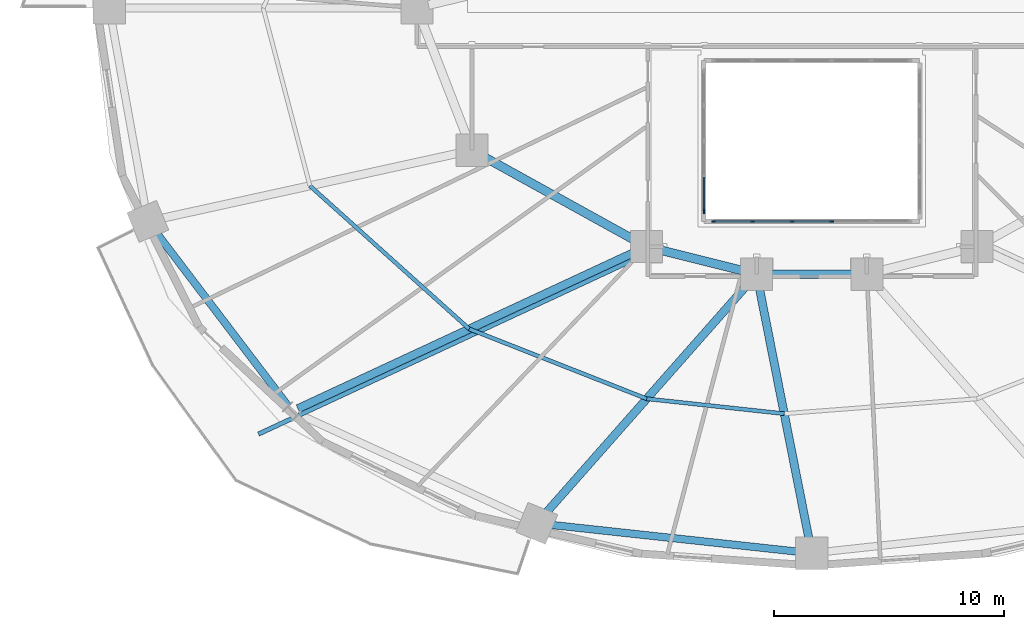
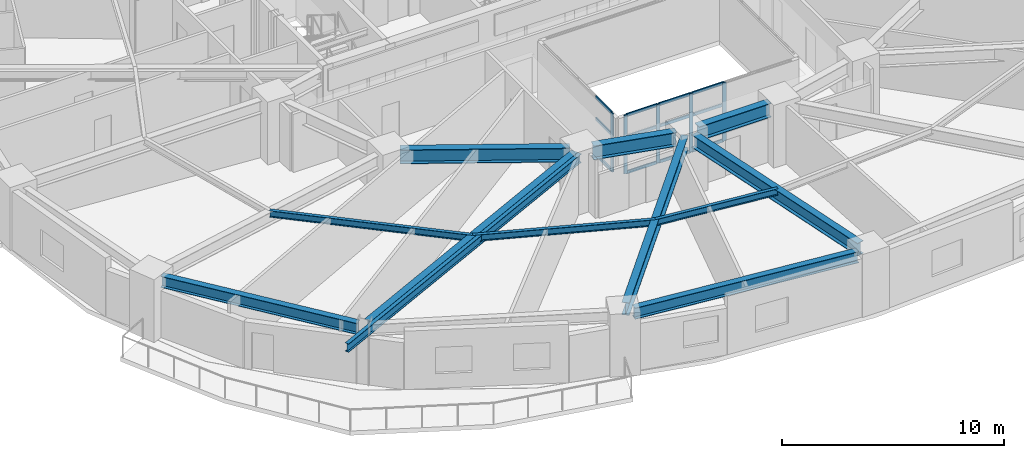
# One storey, part 3 of 17: 17 members, 12 beams, 2 elements without a shape of their own.
"""IFC4 building model written with IfcOpenShell, lengths in metres."""

from ifc_helpers import new_model, si_unit, direction, frame, origin, origin_2d, place, context, subcontext, project, spatial, rectangle, i_section, extrude, material, material_profile, profile_set, type_object, element, aggregate, save


model = new_model("IFC4")

# Units and contexts
model_context = context("Model", 3, precision=1e-05, world=origin(), true_north=direction((0.0, 1.0)))
body_context = subcontext(model_context, "Body", "Model", "MODEL_VIEW")
ifc_project = project(units=[si_unit("LENGTHUNIT", "METRE"), si_unit("AREAUNIT", "SQUARE_METRE"), si_unit("VOLUMEUNIT", "CUBIC_METRE"), si_unit("PLANEANGLEUNIT", "RADIAN"), si_unit("MASSUNIT", "GRAM", prefix="KILO")], contexts=[model_context])

# Site, building, storey
site_placement = place(None, origin())
site = spatial("IfcSite", under=ifc_project, at=site_placement, CompositionType="ELEMENT")
building_placement = place(site_placement, origin())
building = spatial("IfcBuilding", under=site, at=building_placement, Name="Haldorwick Loom Tower", CompositionType="ELEMENT")
storey_placement = place(building_placement, frame((0.0, 0.0, 34.35009765625)))
storey = spatial("IfcBuildingStorey", under=building, at=storey_placement, Name="L08", CompositionType="ELEMENT", Elevation=34.35009765625)

# Curtain wall, members
ifc_material_1 = material(Name="Thermally Broken Anodized Aluminium Curtain Wall Framing", Category="aluminium")
curtain_wall_type = type_object("IfcCurtainWallType", Name="ARC-CW-03", PredefinedType="NOTDEFINED", material=ifc_material_1)
curtain_wall_1_placement = place(storey_placement, origin())
curtain_wall_1 = element("IfcCurtainWall", 1, at=curtain_wall_1_placement, inside=storey, type_object=curtain_wall_type, Name="L08 Atrium Glazed Screen S", PredefinedType="NOTDEFINED")
ifc_material_profile_1 = material_profile(ifc_material_1, rectangle(XDim=0.06591796875, YDim=0.18505859375, at=origin_2d()), Name="ALU_MUL_66X185", Category="aluminium")
ifc_profile_set_1 = profile_set([ifc_material_profile_1], Name="Thermally Broken Anodized Aluminium Curtain Wall Framing")
member_type_1 = type_object("IfcMemberType", Name="ARC-CWM-03", PredefinedType="MULLION", material=ifc_profile_set_1)
member_1_placement = place(storey_placement, frame((36.860107421875, 16.699951171875, 0.0), z_axis=(0.0, 0.0, 1.0), x_axis=(0.0, -1.0, 0.0)))
member_1 = element("IfcMember", 2, at=member_1_placement, type_object=member_type_1, Name="CW-03 mullion 3", PredefinedType="MULLION", context=body_context, shape_type="SweptSolid", body=[
    extrude(rectangle(XDim=0.06591796875, YDim=0.18505859375, at=origin_2d()), origin(), (0.0, 0.0, 1.0), 3.2099609375),
])
member_2_placement = place(storey_placement, frame((35.139892578125, 16.699951171875, 0.0), z_axis=(0.0, 0.0, 1.0), x_axis=(0.0, -1.0, 0.0)))
member_2 = element("IfcMember", 3, at=member_2_placement, type_object=member_type_1, Name="CW-03 mullion 4", PredefinedType="MULLION", context=body_context, shape_type="SweptSolid", body=[
    extrude(rectangle(XDim=0.06591796875, YDim=0.18505859375, at=origin_2d()), origin(), (0.0, 0.0, 1.0), 3.2099609375),
])
member_3_placement = place(storey_placement, frame((33.419921875, 16.699951171875, 0.0), z_axis=(0.0, 0.0, 1.0), x_axis=(0.0, -1.0, 0.0)))
member_3 = element("IfcMember", 4, at=member_3_placement, type_object=member_type_1, Name="CW-03 mullion 5", PredefinedType="MULLION", context=body_context, shape_type="SweptSolid", body=[
    extrude(rectangle(XDim=0.06591796875, YDim=0.18505859375, at=origin_2d()), origin(), (0.0, 0.0, 1.0), 3.2099609375),
])
member_4_placement = place(storey_placement, frame((31.73291015625, 16.699951171875, 0.0), z_axis=(0.0, 0.0, 1.0), x_axis=(0.0, -1.0, 0.0)))
member_4 = element("IfcMember", 5, at=member_4_placement, type_object=member_type_1, Name="CW-03 mullion 6", PredefinedType="MULLION", context=body_context, shape_type="SweptSolid", body=[
    extrude(rectangle(XDim=0.06591796875, YDim=0.18505859375, at=origin_2d()), origin(), (0.0, 0.0, 1.0), 3.2099609375),
])

# Curtain wall, member
curtain_wall_2_placement = place(storey_placement, origin())
curtain_wall_2 = element("IfcCurtainWall", 6, at=curtain_wall_2_placement, inside=storey, type_object=curtain_wall_type, Name="L08 Atrium Glazed Screen W", PredefinedType="NOTDEFINED")
member_5_placement = place(storey_placement, frame((31.300048828125, 17.133056640625, 0.0), z_axis=(0.0, 0.0, 1.0), x_axis=(-1.0, 0.0, 0.0)))
member_5 = element("IfcMember", 7, at=member_5_placement, type_object=member_type_1, Name="CW-03 mullion 1", PredefinedType="MULLION", context=body_context, shape_type="SweptSolid", body=[
    extrude(rectangle(XDim=0.06591796875, YDim=0.18505859375, at=origin_2d()), origin(), (0.0, 0.0, 1.0), 3.2099609375),
])

# Member
ifc_material_profile_2 = material_profile(ifc_material_1, rectangle(XDim=0.06591796875, YDim=0.1650390625, at=origin_2d()), Name="ALU_TRN_66X165", Category="aluminium")
ifc_profile_set_2 = profile_set([ifc_material_profile_2], Name="Thermally Broken Anodized Aluminium Curtain Wall Framing")
member_type_2 = type_object("IfcMemberType", Name="ARC-CWT-03", PredefinedType="USERDEFINED", material=ifc_profile_set_2)
member_6_placement = place(storey_placement, frame((36.826904296875, 16.699951171875, 0.032958984375), z_axis=(-1.0, 0.0, 0.0), x_axis=(0.0, -1.0, 0.0)))
member_6 = element("IfcMember", 8, at=member_6_placement, type_object=member_type_2, Name="CW-03 transom 3.1", ObjectType="TRANSOM", PredefinedType="USERDEFINED", context=body_context, shape_type="SweptSolid", body=[
    extrude(rectangle(XDim=0.06591796875, YDim=0.1650390625, at=origin_2d()), origin(), (0.0, 0.0, 1.0), 1.65380859375),
])

member_7_placement = place(storey_placement, frame((36.826904296875, 16.699951171875, 2.0), z_axis=(-1.0, 0.0, 0.0), x_axis=(0.0, -1.0, 0.0)))
member_7 = element("IfcMember", 9, at=member_7_placement, type_object=member_type_2, Name="CW-03 transom 3.2", ObjectType="TRANSOM", PredefinedType="USERDEFINED", context=body_context, shape_type="SweptSolid", body=[
    extrude(rectangle(XDim=0.06591796875, YDim=0.1650390625, at=origin_2d()), origin(), (0.0, 0.0, 1.0), 1.65380859375),
])

member_8_placement = place(storey_placement, frame((36.826904296875, 16.699951171875, 3.177001953125), z_axis=(-1.0, 0.0, 0.0), x_axis=(0.0, -1.0, 0.0)))
member_8 = element("IfcMember", 10, at=member_8_placement, type_object=member_type_2, Name="CW-03 transom 3.3", ObjectType="TRANSOM", PredefinedType="USERDEFINED", context=body_context, shape_type="SweptSolid", body=[
    extrude(rectangle(XDim=0.06591796875, YDim=0.1650390625, at=origin_2d()), origin(), (0.0, 0.0, 1.0), 1.65380859375),
])

member_9_placement = place(storey_placement, frame((35.10693359375, 16.699951171875, 0.032958984375), z_axis=(-1.0, 0.0, 0.0), x_axis=(0.0, -1.0, 0.0)))
member_9 = element("IfcMember", 11, at=member_9_placement, type_object=member_type_2, Name="CW-03 transom 4.1", ObjectType="TRANSOM", PredefinedType="USERDEFINED", context=body_context, shape_type="SweptSolid", body=[
    extrude(rectangle(XDim=0.06591796875, YDim=0.1650390625, at=origin_2d()), origin(), (0.0, 0.0, 1.0), 1.654052734375),
])

member_10_placement = place(storey_placement, frame((35.10693359375, 16.699951171875, 2.0), z_axis=(-1.0, 0.0, 0.0), x_axis=(0.0, -1.0, 0.0)))
member_10 = element("IfcMember", 12, at=member_10_placement, type_object=member_type_2, Name="CW-03 transom 4.2", ObjectType="TRANSOM", PredefinedType="USERDEFINED", context=body_context, shape_type="SweptSolid", body=[
    extrude(rectangle(XDim=0.06591796875, YDim=0.1650390625, at=origin_2d()), origin(), (0.0, 0.0, 1.0), 1.654052734375),
])

member_11_placement = place(storey_placement, frame((35.10693359375, 16.699951171875, 3.177001953125), z_axis=(-1.0, 0.0, 0.0), x_axis=(0.0, -1.0, 0.0)))
member_11 = element("IfcMember", 13, at=member_11_placement, type_object=member_type_2, Name="CW-03 transom 4.3", ObjectType="TRANSOM", PredefinedType="USERDEFINED", context=body_context, shape_type="SweptSolid", body=[
    extrude(rectangle(XDim=0.06591796875, YDim=0.1650390625, at=origin_2d()), origin(), (0.0, 0.0, 1.0), 1.654052734375),
])

member_12_placement = place(storey_placement, frame((33.386962890625, 16.699951171875, 0.032958984375), z_axis=(-1.0, 0.0, 0.0), x_axis=(0.0, -1.0, 0.0)))
member_12 = element("IfcMember", 14, at=member_12_placement, type_object=member_type_2, Name="CW-03 transom 5.1", ObjectType="TRANSOM", PredefinedType="USERDEFINED", context=body_context, shape_type="SweptSolid", body=[
    extrude(rectangle(XDim=0.06591796875, YDim=0.1650390625, at=origin_2d()), origin(), (0.0, 0.0, 1.0), 1.620849609375),
])

member_13_placement = place(storey_placement, frame((33.386962890625, 16.699951171875, 2.0), z_axis=(-1.0, 0.0, 0.0), x_axis=(0.0, -1.0, 0.0)))
member_13 = element("IfcMember", 15, at=member_13_placement, type_object=member_type_2, Name="CW-03 transom 5.2", ObjectType="TRANSOM", PredefinedType="USERDEFINED", context=body_context, shape_type="SweptSolid", body=[
    extrude(rectangle(XDim=0.06591796875, YDim=0.1650390625, at=origin_2d()), origin(), (0.0, 0.0, 1.0), 1.620849609375),
])

member_14_placement = place(storey_placement, frame((33.386962890625, 16.699951171875, 3.177001953125), z_axis=(-1.0, 0.0, 0.0), x_axis=(0.0, -1.0, 0.0)))
member_14 = element("IfcMember", 16, at=member_14_placement, type_object=member_type_2, Name="CW-03 transom 5.3", ObjectType="TRANSOM", PredefinedType="USERDEFINED", context=body_context, shape_type="SweptSolid", body=[
    extrude(rectangle(XDim=0.06591796875, YDim=0.1650390625, at=origin_2d()), origin(), (0.0, 0.0, 1.0), 1.620849609375),
])

aggregate(curtain_wall_1, [member_1, member_2, member_3, member_4, member_6, member_7, member_8, member_9, member_10, member_11, member_12, member_13, member_14])

member_15_placement = place(storey_placement, frame((31.300048828125, 17.166015625, 0.032958984375), z_axis=(0.0, 1.0, 0.0), x_axis=(-1.0, 0.0, 0.0)))
member_15 = element("IfcMember", 17, at=member_15_placement, type_object=member_type_2, Name="CW-03 transom 1.1", ObjectType="TRANSOM", PredefinedType="USERDEFINED", context=body_context, shape_type="SweptSolid", body=[
    extrude(rectangle(XDim=0.06591796875, YDim=0.1650390625, at=origin_2d()), origin(), (0.0, 0.0, 1.0), 1.450927734375),
])

member_16_placement = place(storey_placement, frame((31.300048828125, 17.166015625, 2.0), z_axis=(0.0, 1.0, 0.0), x_axis=(-1.0, 0.0, 0.0)))
member_16 = element("IfcMember", 18, at=member_16_placement, type_object=member_type_2, Name="CW-03 transom 1.2", ObjectType="TRANSOM", PredefinedType="USERDEFINED", context=body_context, shape_type="SweptSolid", body=[
    extrude(rectangle(XDim=0.06591796875, YDim=0.1650390625, at=origin_2d()), origin(), (0.0, 0.0, 1.0), 1.450927734375),
])

member_17_placement = place(storey_placement, frame((31.300048828125, 17.166015625, 3.177001953125), z_axis=(0.0, 1.0, 0.0), x_axis=(-1.0, 0.0, 0.0)))
member_17 = element("IfcMember", 19, at=member_17_placement, type_object=member_type_2, Name="CW-03 transom 1.3", ObjectType="TRANSOM", PredefinedType="USERDEFINED", context=body_context, shape_type="SweptSolid", body=[
    extrude(rectangle(XDim=0.06591796875, YDim=0.1650390625, at=origin_2d()), origin(), (0.0, 0.0, 1.0), 1.450927734375),
])

aggregate(curtain_wall_2, [member_5, member_15, member_16, member_17])

# Beams
ifc_material_2 = material(Name="Steel CSA G40.21 350W", Category="steel")
ifc_material_profile_3 = material_profile(ifc_material_2, i_section(OverallWidth=0.193115234375, OverallDepth=0.466064453125, WebThickness=0.011474609375, FlangeThickness=0.01904296875, at=origin_2d()), Name="W460X97", Category="steel")
ifc_profile_set_3 = profile_set([ifc_material_profile_3], Name="Steel CSA G40.21 350W")
beam_type_1 = type_object("IfcBeamType", Name="STR-BM-BAL460", PredefinedType="BEAM", material=ifc_profile_set_3)
beam_1_placement = place(storey_placement, frame((28.446533203125, 15.126953125, 2.976806640625), z_axis=(-0.906840784049, -0.421473359047, 0.0), x_axis=(0.421473359047, -0.906840784049, 0.0)))
element("IfcBeam", 20, at=beam_1_placement, inside=storey, type_object=beam_type_1, Name="L08 Continuous Back-Spanned Balcony Beam 2", PredefinedType="BEAM", context=body_context, shape_type="SweptSolid", body=[
    extrude(i_section(OverallWidth=0.193115234375, OverallDepth=0.466064453125, WebThickness=0.011474609375, FlangeThickness=0.01904296875, at=origin_2d()), origin(), (0.0, 0.0, 1.0), 18.245361328125),
])
ifc_material_profile_4 = material_profile(ifc_material_2, i_section(OverallWidth=0.172119140625, OverallDepth=0.35791015625, WebThickness=0.0078125, FlangeThickness=0.01318359375, at=origin_2d()), Name="W360X57", Category="steel")
ifc_profile_set_4 = profile_set([ifc_material_profile_4], Name="Steel CSA G40.21 350W")
beam_type_2 = type_object("IfcBeamType", Name="STR-BM-J360", PredefinedType="JOIST", material=ifc_profile_set_4)
beam_2_placement = place(storey_placement, frame((14.141357421875, 18.25048828125, 3.031005859375), z_axis=(0.743981830112, -0.668199847698, 0.0), x_axis=(0.668199847698, 0.743981830112, 0.0)))
element("IfcBeam", 21, at=beam_2_placement, inside=storey, type_object=beam_type_2, Name="L08 Mid-Bay Secondary Joist 10", PredefinedType="JOIST", context=body_context, shape_type="SweptSolid", body=[
    extrude(i_section(OverallWidth=0.172119140625, OverallDepth=0.35791015625, WebThickness=0.0078125, FlangeThickness=0.01318359375, at=origin_2d()), origin(), (0.0, 0.0, 1.0), 9.3330078125),
])
beam_3_placement = place(storey_placement, frame((21.0849609375, 12.01416015625, 3.031005859375), z_axis=(0.930584838237, -0.366076301941, 0.0), x_axis=(0.366076301941, 0.930584838237, 0.0)))
element("IfcBeam", 22, at=beam_3_placement, inside=storey, type_object=beam_type_2, Name="L08 Mid-Bay Secondary Joist 11", PredefinedType="JOIST", context=body_context, shape_type="SweptSolid", body=[
    extrude(i_section(OverallWidth=0.172119140625, OverallDepth=0.35791015625, WebThickness=0.0078125, FlangeThickness=0.01318359375, at=origin_2d()), origin(), (0.0, 0.0, 1.0), 8.302490234375),
])
beam_4_placement = place(storey_placement, frame((28.81103515625, 8.974853515625, 3.031005859375), z_axis=(0.994163660215, -0.107882420753, 0.0), x_axis=(0.107882420753, 0.994163660215, 0.0)))
element("IfcBeam", 23, at=beam_4_placement, inside=storey, type_object=beam_type_2, Name="L08 Mid-Bay Secondary Joist 12", PredefinedType="JOIST", context=body_context, shape_type="SweptSolid", body=[
    extrude(i_section(OverallWidth=0.172119140625, OverallDepth=0.35791015625, WebThickness=0.0078125, FlangeThickness=0.01318359375, at=origin_2d()), origin(), (0.0, 0.0, 1.0), 6.024169921875),
])
ifc_material_profile_5 = material_profile(ifc_material_2, i_section(OverallWidth=0.324951171875, OverallDepth=0.615966796875, WebThickness=0.013916015625, FlangeThickness=0.021484375, at=origin_2d()), Name="W610X174", Category="steel")
ifc_profile_set_5 = profile_set([ifc_material_profile_5], Name="Steel CSA G40.21 350W")
beam_type_3 = type_object("IfcBeamType", Name="STR-BM-SP610", PredefinedType="SPANDREL", material=ifc_profile_set_5)
beam_5_placement = place(storey_placement, frame((7.397216796875, 16.286865234375, 2.90185546875), z_axis=(0.605084557744, -0.796161213562, 0.0), x_axis=(0.796161213562, 0.605084557744, 0.0)))
element("IfcBeam", 24, at=beam_5_placement, inside=storey, type_object=beam_type_3, Name="L08 Perimeter Spandrel 10", PredefinedType="SPANDREL", context=body_context, shape_type="SweptSolid", body=[
    extrude(i_section(OverallWidth=0.324951171875, OverallDepth=0.615966796875, WebThickness=0.013916015625, FlangeThickness=0.021484375, at=origin_2d()), origin(), (0.0, 0.0, 1.0), 9.595703125),
])
beam_6_placement = place(storey_placement, frame((24.5390625, 3.49365234375, 2.90185546875), z_axis=(0.994164438636, -0.107875247167, 0.0), x_axis=(0.107875247167, 0.994164438636, 0.0)))
element("IfcBeam", 25, at=beam_6_placement, inside=storey, type_object=beam_type_3, Name="L08 Perimeter Spandrel 12", PredefinedType="SPANDREL", context=body_context, shape_type="SweptSolid", body=[
    extrude(i_section(OverallWidth=0.324951171875, OverallDepth=0.615966796875, WebThickness=0.013916015625, FlangeThickness=0.021484375, at=origin_2d()), origin(), (0.0, 0.0, 1.0), 11.008056640625),
])
ifc_material_profile_6 = material_profile(ifc_material_2, i_section(OverallWidth=0.35498046875, OverallDepth=0.695068359375, WebThickness=0.015380859375, FlangeThickness=0.02490234375, at=origin_2d()), Name="W690X217", Category="steel")
ifc_profile_set_6 = profile_set([ifc_material_profile_6], Name="Steel CSA G40.21 350W")
beam_type_4 = type_object("IfcBeamType", Name="STR-BM-W690", PredefinedType="BEAM", material=ifc_profile_set_6)
beam_7_placement = place(storey_placement, frame((28.328369140625, 15.380859375, 2.8623046875), z_axis=(-0.90683498532, -0.421485835349, 0.0), x_axis=(0.421485835349, -0.90683498532, 0.0)))
element("IfcBeam", 26, at=beam_7_placement, inside=storey, type_object=beam_type_4, Name="L08 Radial Floor Girder 11", PredefinedType="BEAM", context=body_context, shape_type="SweptSolid", body=[
    extrude(i_section(OverallWidth=0.35498046875, OverallDepth=0.695068359375, WebThickness=0.015380859375, FlangeThickness=0.02490234375, at=origin_2d()), origin(), (0.0, 0.0, 1.0), 16.220458984375),
])
beam_8_placement = place(storey_placement, frame((33.255859375, 14.01025390625, 2.8623046875), z_axis=(-0.661774304332, -0.749703121326, 0.0), x_axis=(0.749703121326, -0.661774304332, 0.0)))
element("IfcBeam", 27, at=beam_8_placement, inside=storey, type_object=beam_type_4, Name="L08 Radial Floor Girder 12", PredefinedType="BEAM", context=body_context, shape_type="SweptSolid", body=[
    extrude(i_section(OverallWidth=0.35498046875, OverallDepth=0.695068359375, WebThickness=0.015380859375, FlangeThickness=0.02490234375, at=origin_2d()), origin(), (0.0, 0.0, 1.0), 13.43310546875),
])
beam_9_placement = place(storey_placement, frame((33.70068359375, 13.889892578125, 2.8623046875), z_axis=(0.193785651115, -0.981043893729, 0.0), x_axis=(0.981043893729, 0.193785651115, 0.0)))
element("IfcBeam", 28, at=beam_9_placement, inside=storey, type_object=beam_type_4, Name="L08 Radial Floor Girder 13", PredefinedType="BEAM", context=body_context, shape_type="SweptSolid", body=[
    extrude(i_section(OverallWidth=0.35498046875, OverallDepth=0.695068359375, WebThickness=0.015380859375, FlangeThickness=0.02490234375, at=origin_2d()), origin(), (0.0, 0.0, 1.0), 11.344970703125),
])
ifc_material_profile_7 = material_profile(ifc_material_2, i_section(OverallWidth=0.381103515625, OverallDepth=0.77294921875, WebThickness=0.0166015625, FlangeThickness=0.027587890625, at=origin_2d()), Name="W760X257", Category="steel")
ifc_profile_set_7 = profile_set([ifc_material_profile_7], Name="Steel CSA G40.21 350W")
beam_type_5 = type_object("IfcBeamType", Name="STR-BM-W760", PredefinedType="BEAM", material=ifc_profile_set_7)
beam_10_placement = place(storey_placement, frame((37.8798828125, 14.39990234375, 2.823486328125), z_axis=(-1.0, 0.0, 0.0), x_axis=(0.0, -1.0, 0.0)))
element("IfcBeam", 29, at=beam_10_placement, inside=storey, type_object=beam_type_5, Name="L08 Inner Ring Girder 5", PredefinedType="BEAM", context=body_context, shape_type="SweptSolid", body=[
    extrude(i_section(OverallWidth=0.381103515625, OverallDepth=0.77294921875, WebThickness=0.0166015625, FlangeThickness=0.027587890625, at=origin_2d()), origin(), (0.0, 0.0, 1.0), 3.759765625),
])
beam_11_placement = place(storey_placement, frame((33.095458984375, 14.526123046875, 2.823486328125), z_axis=(-0.970142500145, 0.242535625036, 0.0), x_axis=(-0.242535625036, -0.970142500145, 0.0)))
element("IfcBeam", 30, at=beam_11_placement, inside=storey, type_object=beam_type_5, Name="L08 Inner Ring Girder 6", PredefinedType="BEAM", context=body_context, shape_type="SweptSolid", body=[
    extrude(i_section(OverallWidth=0.381103515625, OverallDepth=0.77294921875, WebThickness=0.0166015625, FlangeThickness=0.027587890625, at=origin_2d()), origin(), (0.0, 0.0, 1.0), 3.90771484375),
])
beam_12_placement = place(storey_placement, frame((28.344970703125, 15.8515625, 2.823486328125), z_axis=(-0.875244382146, 0.483680960471, 0.0), x_axis=(-0.483680960471, -0.875244382146, 0.0)))
element("IfcBeam", 31, at=beam_12_placement, inside=storey, type_object=beam_type_5, Name="L08 Inner Ring Girder 7", PredefinedType="BEAM", context=body_context, shape_type="SweptSolid", body=[
    extrude(i_section(OverallWidth=0.381103515625, OverallDepth=0.77294921875, WebThickness=0.0166015625, FlangeThickness=0.027587890625, at=origin_2d()), origin(), (0.0, 0.0, 1.0), 7.6435546875),
])

save(model, "model.ifc")
